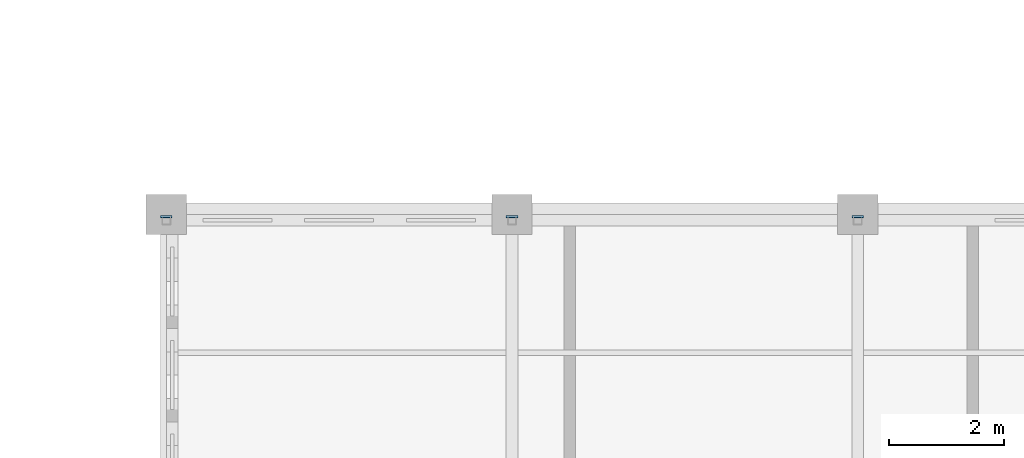
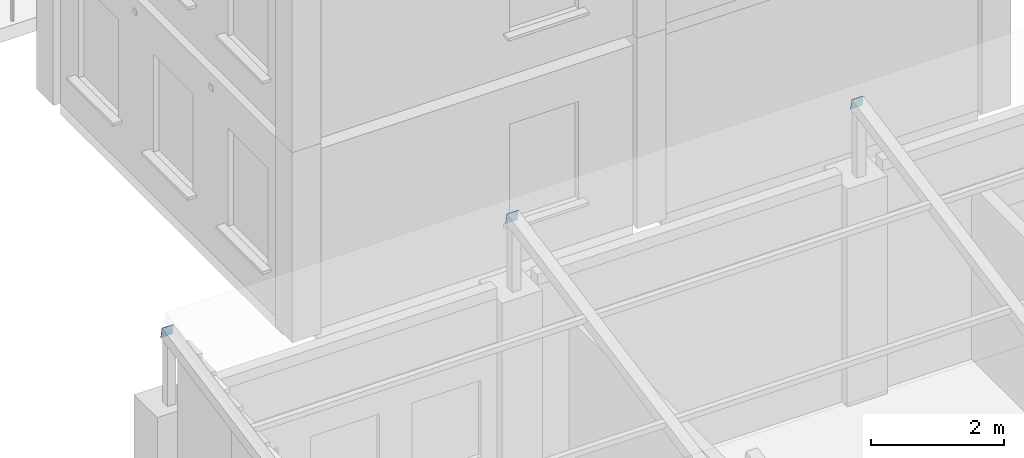
# One storey, part 88 of 103: 3 discrete accessories.
"""IFC4 building model written with IfcOpenShell, lengths in metres."""

import ifcopenshell
import ifcopenshell.guid

model = None  # the IFC model being written
_history = None  # IfcOwnerHistory: only IFC2X3 demands one
_inside = {}  # id of a spatial element -> (the spatial element, [elements in it])
_under = {}  # id of a project, library or spatial element -> (it, [spatial elements below it])
_declared = {}  # id of a project -> (the project, [libraries it declares])
_typed = {}  # id of a type object -> (the type object, [elements of that type])
_made_of = {}  # id of a material, layer set ... -> (it, [elements and type objects made of it])


def new_model(schema):
    """Start an empty IFC model of exactly this schema.

    Asked for "IFC4X3", IfcOpenShell would pick the latest addendum, in which some entities
    have other attributes; the version numbers below select the first issue.
    IFC2X3 requires an IfcOwnerHistory on every rooted entity: one is made here for all.
    """
    global model, _history
    if schema == "IFC4X3":
        model = ifcopenshell.file(schema_version=(4, 3, 0, 0))
    else:
        model = ifcopenshell.file(schema=schema)
    _inside.clear()
    _under.clear()
    _declared.clear()
    _typed.clear()
    _made_of.clear()
    _history = None
    if model.schema == "IFC2X3":
        org = make("IfcOrganization", Name="unknown")
        user = make(
            "IfcPersonAndOrganization",
            ThePerson=make("IfcPerson", FamilyName="unknown"),
            TheOrganization=org,
        )
        app = make(
            "IfcApplication",
            ApplicationDeveloper=org,
            Version="unknown",
            ApplicationFullName="unknown",
            ApplicationIdentifier="unknown",
        )
        _history = make(
            "IfcOwnerHistory",
            OwningUser=user,
            OwningApplication=app,
            ChangeAction="ADDED",
            CreationDate=0,
        )
    return model


def make(cls, **values):
    """One entity of the class cls with the attributes given. An attribute that is None is left unset."""
    return model.create_entity(
        cls, **{name: value for name, value in values.items() if value is not None}
    )


def rooted(cls, **values):
    """An entity with a GlobalId (a new one), such as an element, a storey or a relation."""
    return make(cls, GlobalId=ifcopenshell.guid.new(), OwnerHistory=_history, **values)


def si_unit(unit_type, name, prefix=None):
    """IfcSIUnit, for example si_unit("LENGTHUNIT", "METRE", prefix="MILLI")."""
    return make("IfcSIUnit", UnitType=unit_type, Prefix=prefix, Name=name)


def assignment(units):
    """IfcUnitAssignment: the units of a project."""
    return None if units is None else make("IfcUnitAssignment", Units=units)


def point(xyz):
    """IfcCartesianPoint."""
    return None if xyz is None else make("IfcCartesianPoint", Coordinates=xyz)


def direction(xyz):
    """IfcDirection."""
    return None if xyz is None else make("IfcDirection", DirectionRatios=xyz)


def frame(location, z_axis=None, x_axis=None):
    """IfcAxis2Placement3D, a coordinate frame: its origin and axes. An axis left out is left unset."""
    return make(
        "IfcAxis2Placement3D",
        Location=point(location),
        Axis=direction(z_axis),
        RefDirection=direction(x_axis),
    )


def frame_2d(location, x_axis=None):
    """IfcAxis2Placement2D, a coordinate frame in the plane: its origin and x axis."""
    return make(
        "IfcAxis2Placement2D", Location=point(location), RefDirection=direction(x_axis)
    )


def origin():
    """The frame at (0, 0, 0) with its axes left unset."""
    return frame((0.0, 0.0, 0.0))


def origin_2d():
    """The frame at (0, 0) in the plane with its x axis left unset."""
    return frame_2d((0.0, 0.0))


def place(relative_to, where):
    """IfcLocalPlacement: puts the frame where relative to a parent placement (None: the world)."""
    return make(
        "IfcLocalPlacement", PlacementRelTo=relative_to, RelativePlacement=where
    )


def context(
    kind, dimensions, precision=None, world=None, true_north=None, identifier=None
):
    """IfcGeometricRepresentationContext, for example the 3D "Model" context."""
    return make(
        "IfcGeometricRepresentationContext",
        ContextIdentifier=identifier,
        ContextType=kind,
        CoordinateSpaceDimension=dimensions,
        Precision=precision,
        WorldCoordinateSystem=world,
        TrueNorth=true_north,
    )


def subcontext(parent, identifier, kind, view, scale=None):
    """IfcGeometricRepresentationSubContext, for example "Body" below "Model"."""
    return make(
        "IfcGeometricRepresentationSubContext",
        ContextIdentifier=identifier,
        ContextType=kind,
        ParentContext=parent,
        TargetScale=scale,
        TargetView=view,
    )


def project(units=None, contexts=None):
    """IfcProject with its units and contexts."""
    return rooted(
        "IfcProject",
        Name="project",
        RepresentationContexts=contexts,
        UnitsInContext=assignment(units),
    )


def spatial(cls, under=None, at=None, **own):
    """A site, building, storey or space (cls), placed at a placement, below another one or the project."""
    s = rooted(cls, ObjectPlacement=at, **own)
    if under is not None:
        _under.setdefault(under.id(), (under, []))[1].append(s)
    return s


def profile(cls, at=None, kind="AREA", **sizes):
    """A parametric profile (cls). Its sizes go by their IFC names, for example OverallWidth=200.0."""
    return make(cls, ProfileType=kind, Position=at, **sizes)


def rectangle(**sizes):
    """IfcRectangleProfileDef."""
    return profile("IfcRectangleProfileDef", **sizes)


def extrude(swept, where, along, depth):
    """IfcExtrudedAreaSolid: the profile swept, set in the frame where, extruded along a direction by depth."""
    return make(
        "IfcExtrudedAreaSolid",
        SweptArea=swept,
        Position=where,
        ExtrudedDirection=direction(along),
        Depth=depth,
    )


def shape(context_of_items, identifier, shape_type, items):
    """IfcShapeRepresentation: the items that make up one representation, for example the "Body"."""
    return make(
        "IfcShapeRepresentation",
        ContextOfItems=context_of_items,
        RepresentationIdentifier=identifier,
        RepresentationType=shape_type,
        Items=items,
    )


def material(Name=None, Category=None):
    """IfcMaterial."""
    return make("IfcMaterial", Name=Name, Category=Category)


def material_profile(
    of_material, cross_section, Name=None, Category=None, Priority=None
):
    """IfcMaterialProfile: a cross section and its material."""
    return make(
        "IfcMaterialProfile",
        Name=Name,
        Material=of_material,
        Profile=cross_section,
        Priority=Priority,
        Category=Category,
    )


def profile_set(profiles, Name=None, composite=None):
    """IfcMaterialProfileSet."""
    return make(
        "IfcMaterialProfileSet",
        Name=Name,
        MaterialProfiles=profiles,
        CompositeProfile=composite,
    )


def made_of(thing, what):
    """Note that an element or type object is made of a material, layer set ...; save() writes the relation."""
    if what is not None:
        _made_of.setdefault(what.id(), (what, []))[1].append(thing)
    return thing


def type_object(cls, material=None, **own):
    """A type object (cls), such as IfcWallType, which elements share."""
    return made_of(rooted(cls, **own), material)


def element(
    cls,
    number,
    at=None,
    inside=None,
    cuts=None,
    type_object=None,
    material=None,
    context=None,
    identifier="Body",
    shape_type=None,
    held_by="IfcProductDefinitionShape",
    body=None,
    shapes=None,
    **own,
):
    """One element of the class cls, such as IfcWall. Its Tag is "e" and its number.

    at: its placement. inside: the storey or other place that contains it. cuts: it is an
    opening in that element (IfcRelVoidsElement). A single representation is given by context,
    identifier, shape_type and body (its items); several are given by shapes. held_by: the class
    of the entity that holds the representations. save() writes the other relations.
    """
    e = rooted(cls, Tag="e%d" % number, ObjectPlacement=at, **own)
    if body is not None:
        shapes = [shape(context, identifier, shape_type, body)]
    if shapes is not None:
        e.Representation = make(held_by, Representations=shapes)
    if inside is not None:
        _inside.setdefault(inside.id(), (inside, []))[1].append(e)
    if cuts is not None:
        rooted(
            "IfcRelVoidsElement", RelatingBuildingElement=cuts, RelatedOpeningElement=e
        )
    if type_object is not None:
        _typed.setdefault(type_object.id(), (type_object, []))[1].append(e)
    return made_of(e, material)


def aggregate(whole, parts):
    """IfcRelAggregates: a whole, such as a stair, and the parts it consists of."""
    return rooted("IfcRelAggregates", RelatingObject=whole, RelatedObjects=parts)


def save(model, path):
    """Write the relations noted so far, then the file.

    IfcRelAggregates (storeys below a building ...), IfcRelContainedInSpatialStructure (elements
    in a storey), IfcRelDefinesByType, IfcRelAssociatesMaterial and IfcRelDeclares: one each for
    every whole, place, type object, material and project.
    """
    for whole, parts in _under.values():
        aggregate(whole, parts)
    for where, things in _inside.values():
        rooted(
            "IfcRelContainedInSpatialStructure",
            RelatedElements=things,
            RelatingStructure=where,
        )
    for kind, things in _typed.values():
        rooted("IfcRelDefinesByType", RelatedObjects=things, RelatingType=kind)
    for what, things in _made_of.values():
        rooted("IfcRelAssociatesMaterial", RelatedObjects=things, RelatingMaterial=what)
    for by, libraries in _declared.values():
        rooted("IfcRelDeclares", RelatingContext=by, RelatedDefinitions=libraries)
    model.write(path)


model = new_model("IFC4")

# Units and contexts
model_context = context("Model", 3, precision=1e-05, world=origin(), true_north=direction((0.0, 1.0)))
body_context = subcontext(model_context, "Body", "Model", "MODEL_VIEW")
ifc_project = project(units=[si_unit("LENGTHUNIT", "METRE"), si_unit("AREAUNIT", "SQUARE_METRE"), si_unit("VOLUMEUNIT", "CUBIC_METRE"), si_unit("PLANEANGLEUNIT", "RADIAN"), si_unit("MASSUNIT", "GRAM", prefix="KILO")], contexts=[model_context])

# Site, building, storey
site_placement = place(None, origin())
site = spatial("IfcSite", under=ifc_project, at=site_placement, CompositionType="ELEMENT")
building_placement = place(site_placement, origin())
building = spatial("IfcBuilding", under=site, at=building_placement, Name="Laocheng Heights Fire and Rescue Headquarters", CompositionType="ELEMENT")
storey_placement = place(building_placement, frame((0.0, 0.0, 4.199951171875)))
storey = spatial("IfcBuildingStorey", under=building, at=storey_placement, Name="L01", CompositionType="ELEMENT", Elevation=4.199951171875)

# Discrete accessories
ifc_material = material(Name="Steel Q355B", Category="steel")
ifc_material_profile = material_profile(ifc_material, rectangle(XDim=0.199951171875, YDim=0.199951171875, at=origin_2d()), Name="END CAP PLATE 200 x 200 x 8 FOR STEEL RAFTER SHS 200x200x8 SAWTOOTH")
ifc_profile_set = profile_set([ifc_material_profile], Name="Steel Q355B")
discrete_accessory_type = type_object("IfcDiscreteAccessoryType", Name="END CAP PLATE 200 x 200 x 8 FOR STEEL RAFTER SHS 200x200x8 SAWTOOTH", PredefinedType="BRACKET", material=ifc_profile_set)
for number, where, z_axis, x_axis, name in (
    (1, (108.0, 21.557373046875, 5.2861328125), (0.0, 0.982872186934, 0.18428853505), (-1.0, 0.0, 0.0), "Cap plate at Sawtooth rafter end 2"),
    (2, (114.0, 21.557373046875, 5.2861328125), (0.0, 0.982872186934, 0.18428853505), (-1.0, 0.0, 0.0), "Cap plate at Sawtooth rafter end 2"),
    (3, (120.0, 21.557373046875, 5.2861328125), (0.0, 0.982872186934, 0.18428853505), (-1.0, 0.0, 0.0), "Cap plate at Sawtooth rafter end 2"),
):
    element("IfcDiscreteAccessory", number, at=place(storey_placement, frame(where, z_axis=z_axis, x_axis=x_axis)), inside=storey, type_object=discrete_accessory_type, Name=name, PredefinedType="BRACKET", context=body_context, shape_type="SweptSolid", body=[
        extrude(rectangle(XDim=0.199951171875, YDim=0.199951171875, at=origin_2d()), origin(), (0.0, 0.0, 1.0), 0.008056640625),
    ])

save(model, "model.ifc")
